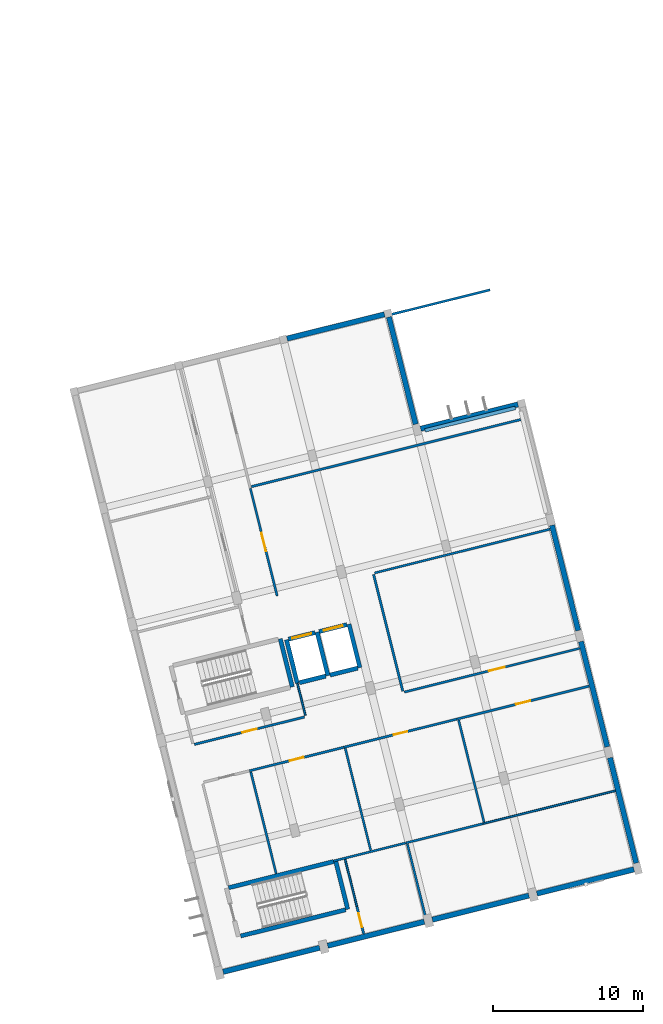
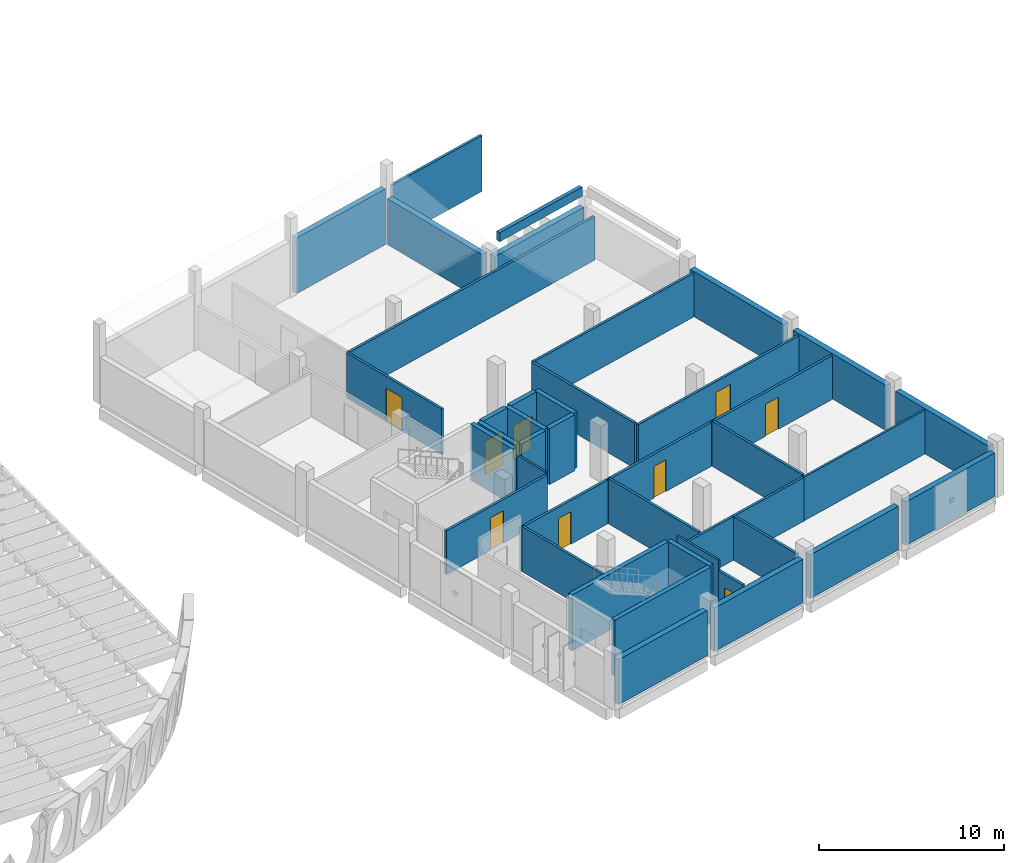
# One storey, part 32 of 47: 42 walls, 9 doors, 9 openings.
"""IFC4 building model written with IfcOpenShell, lengths in metres."""

from ifc_helpers import new_model, si_unit, direction, frame, frame_2d, origin, place, context, subcontext, project, spatial, rectangle, extrude, material, layer, layer_set, type_object, element, fill, save


model = new_model("IFC4")

# Units and contexts
model_context = context("Model", 3, precision=1e-05, world=origin(), true_north=direction((0.0, 1.0)))
body_context = subcontext(model_context, "Body", "Model", "MODEL_VIEW")
ifc_project = project(units=[si_unit("LENGTHUNIT", "METRE"), si_unit("AREAUNIT", "SQUARE_METRE"), si_unit("VOLUMEUNIT", "CUBIC_METRE"), si_unit("PLANEANGLEUNIT", "RADIAN"), si_unit("MASSUNIT", "GRAM", prefix="KILO")], contexts=[model_context])

# Site, building, storey
site_placement = place(None, origin())
site = spatial("IfcSite", under=ifc_project, at=site_placement, CompositionType="ELEMENT")
building_placement = place(site_placement, origin())
building = spatial("IfcBuilding", under=site, at=building_placement, Name="Mawjan Specialist Oncology Clinic", CompositionType="ELEMENT")
storey_placement = place(building_placement, frame((0.0, 0.0, 9.5)))
storey = spatial("IfcBuildingStorey", under=building, at=storey_placement, Name="L02", CompositionType="ELEMENT", Elevation=9.5)

# Walls
ifc_material_1 = material(Name="Precast concrete C40/50", Category="concrete")
ifc_layer_1 = layer(ifc_material_1, 0.35009765625, Name="Precast concrete C40/50", Category="concrete")
ifc_layer_set_1 = layer_set([ifc_layer_1], Name="Precast concrete C40/50")
wall_type_1 = type_object("IfcWallType", Name="EW-350", PredefinedType="SOLIDWALL", material=ifc_layer_set_1)
wall_1_placement = place(storey_placement, frame((139.45947265625, 37.135498046875, 0.0), z_axis=(0.0, 0.0, 1.0), x_axis=(0.970296633454, 0.241918257079, 0.0)))
element("IfcWall", 1, at=wall_1_placement, inside=storey, type_object=wall_type_1, Name="L02 Coral-Limestone Exterior Wall EW-L02-150", PredefinedType="SOLIDWALL", context=body_context, shape_type="SweptSolid", body=[
    extrude(rectangle(XDim=6.699951171875, YDim=0.35009765625, at=frame_2d((3.35009765625, 0.0))), origin(), (0.0, 0.0, 1.0), 2.985107421875),
])
for number, where, z_axis, x_axis, name in (
    (2, (148.22900390625, 30.690673828125, 0.0), (0.0, 0.0, 1.0), (0.241949253188, -0.970288904853, 0.0), "L02 Coral-Limestone Exterior Wall EW-L02-152"),
    (3, (150.16455078125, 22.92822265625, 0.0), (0.0, 0.0, 1.0), (0.241917549853, -0.970296809782, 0.0), "L02 Coral-Limestone Exterior Wall EW-L02-153"),
    (4, (152.099853515625, 15.165771484375, 0.0), (0.0, 0.0, 1.0), (0.241917549853, -0.970296809782, 0.0), "L02 Coral-Limestone Exterior Wall EW-L02-154"),
):
    element("IfcWall", number, at=place(storey_placement, frame(where, z_axis=z_axis, x_axis=x_axis)), inside=storey, type_object=wall_type_1, Name=name, PredefinedType="SOLIDWALL", context=body_context, shape_type="SweptSolid", body=[
        extrude(rectangle(XDim=7.25, YDim=0.35009765625, at=frame_2d((3.625, 0.0))), origin(), (0.0, 0.0, 1.0), 2.985107421875),
    ])
wall_2_placement = place(storey_placement, frame((153.701904296875, 7.706787109375, 0.0), z_axis=(0.0, 0.0, 1.0), x_axis=(-0.970299354279, -0.241907344009, 0.0)))
element("IfcWall", 5, at=wall_2_placement, inside=storey, type_object=wall_type_1, Name="L02 Coral-Limestone Exterior Wall EW-L02-155", PredefinedType="SOLIDWALL", context=body_context, shape_type="SweptSolid", body=[
    extrude(rectangle(XDim=6.675048828125, YDim=0.35009765625, at=frame_2d((3.33740234375, 0.0))), origin(), (0.0, 0.0, 1.0), 2.885009765625),
])
wall_3_placement = place(storey_placement, frame((146.691650390625, 5.958984375, 0.0), z_axis=(0.0, 0.0, 1.0), x_axis=(-0.970293478038, -0.24193091261, 0.0)))
element("IfcWall", 6, at=wall_3_placement, inside=storey, type_object=wall_type_1, Name="L02 Coral-Limestone Exterior Wall EW-L02-156", PredefinedType="SOLIDWALL", context=body_context, shape_type="SweptSolid", body=[
    extrude(rectangle(XDim=6.650146484375, YDim=0.35009765625, at=frame_2d((3.3251953125, 0.0))), origin(), (0.0, 0.0, 1.0), 2.885009765625),
])
wall_4_placement = place(storey_placement, frame((139.705322265625, 4.217041015625, 0.0), z_axis=(0.0, 0.0, 1.0), x_axis=(-0.970299947095, -0.241904966189, 0.0)))
element("IfcWall", 7, at=wall_4_placement, inside=storey, type_object=wall_type_1, Name="L02 Coral-Limestone Exterior Wall EW-L02-157", PredefinedType="SOLIDWALL", context=body_context, shape_type="SweptSolid", body=[
    extrude(rectangle(XDim=6.64990234375, YDim=0.35009765625, at=frame_2d((3.324951171875, 0.0))), origin(), (0.0, 0.0, 1.0), 2.885009765625),
])
wall_5_placement = place(storey_placement, frame((132.71923828125, 2.475341796875, 0.0), z_axis=(0.0, 0.0, 1.0), x_axis=(-0.97029132916, -0.241939530787, 0.0)))
element("IfcWall", 8, at=wall_5_placement, inside=storey, type_object=wall_type_1, Name="L02 Coral-Limestone Exterior Wall EW-L02-158", PredefinedType="SOLIDWALL", context=body_context, shape_type="SweptSolid", body=[
    extrude(rectangle(XDim=6.64990234375, YDim=0.35009765625, at=frame_2d((3.324951171875, 0.0))), origin(), (0.0, 0.0, 1.0), 2.985107421875),
])
wall_6_placement = place(storey_placement, frame((130.537841796875, 43.156005859375, 0.0), z_axis=(0.0, 0.0, 1.0), x_axis=(0.970296633454, 0.241918257079, 0.0)))
element("IfcWall", 9, at=wall_6_placement, inside=storey, type_object=wall_type_1, Name="L02 Coral-Limestone Exterior Wall EW-L02-166", PredefinedType="SOLIDWALL", context=body_context, shape_type="SweptSolid", body=[
    extrude(rectangle(XDim=6.699951171875, YDim=0.35009765625, at=frame_2d((3.35009765625, 0.0))), origin(), (0.0, 0.0, 1.0), 3.669921875),
])
wall_7_placement = place(storey_placement, frame((137.342041015625, 44.5947265625, 0.0), z_axis=(0.0, 0.0, 1.0), x_axis=(0.241920240952, -0.970296138825, 0.0)))
element("IfcWall", 10, at=wall_7_placement, inside=storey, type_object=wall_type_1, Name="L02 Coral-Limestone Exterior Wall EW-L02-167", PredefinedType="SOLIDWALL", context=body_context, shape_type="SweptSolid", body=[
    extrude(rectangle(XDim=7.375, YDim=0.35009765625, at=frame_2d((3.6875, 0.0))), origin(), (0.0, 0.0, 1.0), 3.034912109375),
])
ifc_material_2 = material(Name="Precast concrete C40/50", Category="concrete")
ifc_layer_2 = layer(ifc_material_2, 0.239990234375, Name="Precast concrete C40/50", Category="concrete")
ifc_layer_set_2 = layer_set([ifc_layer_2], Name="Precast concrete C40/50")
wall_type_2 = type_object("IfcWallType", Name="PAR-240", PredefinedType="PARAPET", material=ifc_layer_set_2)
wall_8_placement = place(storey_placement, frame((139.74560546875, 37.021240234375, 3.89990234375), z_axis=(0.0, 0.0, 1.0), x_axis=(0.970290089371, 0.241944502868, 0.0)))
element("IfcWall", 11, at=wall_8_placement, inside=storey, type_object=wall_type_2, Name="L02 Roof Parapet Upstand 22", PredefinedType="PARAPET", context=body_context, shape_type="SweptSolid", body=[
    extrude(rectangle(XDim=6.219970703125, YDim=0.239990234375, at=frame_2d((3.10986328125, 0.0))), origin(), (0.0, 0.0, 1.0), 0.60009765625),
])
ifc_material_3 = material(Name="Concrete C45/55", Category="concrete")
ifc_layer_3 = layer(ifc_material_3, 0.280029296875, Name="Concrete C45/55", Category="concrete")
ifc_layer_set_3 = layer_set([ifc_layer_3], Name="Concrete C45/55")
wall_type_3 = type_object("IfcWallType", Name="SW-300", PredefinedType="SHEAR", material=ifc_layer_set_3)
wall_9_placement = place(storey_placement, frame((130.886962890625, 19.889404296875, 0.0), z_axis=(0.0, 0.0, 1.0), x_axis=(-0.241947258837, 0.970289402158, 0.0)))
element("IfcWall", 12, at=wall_9_placement, inside=storey, type_object=wall_type_3, Name="L02 Core K5 Stair Shear Wall 2", PredefinedType="SHEAR", context=body_context, shape_type="SweptSolid", body=[
    extrude(rectangle(XDim=3.31982421875, YDim=0.280029296875, at=frame_2d((1.659912109375, 0.0))), origin(), (0.0, 0.0, 1.0), 3.699951171875),
])
wall_10_placement = place(storey_placement, frame((131.36328125, 20.17578125, 0.0), z_axis=(0.0, 0.0, 1.0), x_axis=(0.970284587517, 0.241966566341, 0.0)))
element("IfcWall", 13, at=wall_10_placement, inside=storey, type_object=wall_type_3, Name="L02 LF-01 Hoistway Wall 1", PredefinedType="SHEAR", context=body_context, shape_type="SweptSolid", body=[
    extrude(rectangle(XDim=1.817138671875, YDim=0.280029296875, at=frame_2d((0.90869140625, 0.0))), origin(), (0.0, 0.0, 1.0), 3.699951171875),
])
wall_11_placement = place(storey_placement, frame((133.26708984375, 20.650634765625, 0.0), z_axis=(0.0, 0.0, 1.0), x_axis=(-0.241921647353, 0.970295788171, 0.0)))
element("IfcWall", 14, at=wall_11_placement, inside=storey, type_object=wall_type_3, Name="L02 LF-01 Hoistway Wall 2", PredefinedType="SHEAR", context=body_context, shape_type="SweptSolid", body=[
    extrude(rectangle(XDim=2.994140625, YDim=0.280029296875, at=frame_2d((1.4970703125, 0.0))), origin(), (0.0, 0.0, 1.0), 3.699951171875),
])

# Wall, opening, door
wall_12_placement = place(storey_placement, frame((132.402099609375, 23.52099609375, 0.0), z_axis=(0.0, 0.0, 1.0), x_axis=(-0.970284587517, -0.241966566341, 0.0)))
wall_12 = element("IfcWall", 15, at=wall_12_placement, inside=storey, type_object=wall_type_3, Name="L02 LF-01 Hoistway Wall 3", PredefinedType="SHEAR", context=body_context, shape_type="SweptSolid", body=[
    extrude(rectangle(XDim=1.817138671875, YDim=0.280029296875, at=frame_2d((0.90869140625, 0.0))), origin(), (0.0, 0.0, 1.0), 3.699951171875),
])
opening_1_placement = place(wall_12_placement, frame((0.258544921875, 0.0, 0.0)))
opening_1 = element("IfcOpeningElement", 16, at=opening_1_placement, cuts=wall_12, Name="Opening LD-01-L02", PredefinedType="OPENING", context=body_context, shape_type="SweptSolid", body=[
    extrude(rectangle(XDim=1.300048828125, YDim=2.199951171875, at=frame_2d((0.64990234375, 1.10009765625))), frame((0.0, 0.152099609375, 0.0), z_axis=(0.0, -1.0, 0.0), x_axis=(1.0, 0.0, 0.0)), (0.0, 0.0, 1.0), 0.303955078125),
])
ifc_material_4 = material(Name="Stainless-steel fire-rated hospital door", Category="steel")
door_type_1 = type_object("IfcDoorType", Name="LD-130", OperationType="SLIDING_TO_LEFT", PredefinedType="DOOR", material=ifc_material_4)
door_1_placement = place(opening_1_placement, origin())
door_1 = element("IfcDoor", 17, at=door_1_placement, inside=storey, type_object=door_type_1, Name="L02 LF-01 Sliding Lift Landing Door", OperationType="SLIDING_TO_LEFT", OverallHeight=2.199951171875, OverallWidth=1.300048828125, PredefinedType="DOOR", context=body_context, shape_type="SweptSolid", body=[
    extrude(rectangle(XDim=1.300048828125, YDim=2.199951171875, at=frame_2d((0.64990234375, 1.10009765625))), frame((0.0, 0.02490234375, 0.0), z_axis=(0.0, -1.0, 0.0), x_axis=(1.0, 0.0, 0.0)), (0.0, 0.0, 1.0), 0.050048828125),
])
fill(opening_1, door_1)

# Walls
wall_13_placement = place(storey_placement, frame((130.498291015625, 23.046142578125, 0.0), z_axis=(0.0, 0.0, 1.0), x_axis=(0.241921647353, -0.970295788171, 0.0)))
element("IfcWall", 18, at=wall_13_placement, inside=storey, type_object=wall_type_3, Name="L02 LF-01 Hoistway Wall 4", PredefinedType="SHEAR", context=body_context, shape_type="SweptSolid", body=[
    extrude(rectangle(XDim=2.994140625, YDim=0.280029296875, at=frame_2d((1.4970703125, 0.0))), origin(), (0.0, 0.0, 1.0), 3.699951171875),
])
wall_14_placement = place(storey_placement, frame((133.407958984375, 20.685546875, 0.0), z_axis=(0.0, 0.0, 1.0), x_axis=(0.970285190026, 0.241964150272, 0.0)))
element("IfcWall", 19, at=wall_14_placement, inside=storey, type_object=wall_type_3, Name="L02 LF-02 Hoistway Wall 1", PredefinedType="SHEAR", context=body_context, shape_type="SweptSolid", body=[
    extrude(rectangle(XDim=1.909912109375, YDim=0.280029296875, at=frame_2d((0.955078125, 0.0))), origin(), (0.0, 0.0, 1.0), 3.699951171875),
])
wall_15_placement = place(storey_placement, frame((135.40185546875, 21.182861328125, 0.0), z_axis=(0.0, 0.0, 1.0), x_axis=(-0.241921647353, 0.970295788171, 0.0)))
element("IfcWall", 20, at=wall_15_placement, inside=storey, type_object=wall_type_3, Name="L02 LF-02 Hoistway Wall 2", PredefinedType="SHEAR", context=body_context, shape_type="SweptSolid", body=[
    extrude(rectangle(XDim=2.994140625, YDim=0.280029296875, at=frame_2d((1.4970703125, 0.0))), origin(), (0.0, 0.0, 1.0), 3.699951171875),
])

# Wall, opening, door
wall_16_placement = place(storey_placement, frame((134.53662109375, 24.05322265625, 0.0), z_axis=(0.0, 0.0, 1.0), x_axis=(-0.970285190026, -0.241964150272, 0.0)))
wall_16 = element("IfcWall", 21, at=wall_16_placement, inside=storey, type_object=wall_type_3, Name="L02 LF-02 Hoistway Wall 3", PredefinedType="SHEAR", context=body_context, shape_type="SweptSolid", body=[
    extrude(rectangle(XDim=1.909912109375, YDim=0.280029296875, at=frame_2d((0.955078125, 0.0))), origin(), (0.0, 0.0, 1.0), 3.699951171875),
])
opening_2_placement = place(wall_16_placement, frame((0.304931640625, 0.0, 0.0)))
opening_2 = element("IfcOpeningElement", 22, at=opening_2_placement, cuts=wall_16, Name="Opening LD-02-L02", PredefinedType="OPENING", context=body_context, shape_type="SweptSolid", body=[
    extrude(rectangle(XDim=1.300048828125, YDim=2.199951171875, at=frame_2d((0.64990234375, 1.10009765625))), frame((0.0, 0.152099609375, 0.0), z_axis=(0.0, -1.0, 0.0), x_axis=(1.0, 0.0, 0.0)), (0.0, 0.0, 1.0), 0.303955078125),
])
door_2_placement = place(opening_2_placement, origin())
door_2 = element("IfcDoor", 23, at=door_2_placement, inside=storey, type_object=door_type_1, Name="L02 LF-02 Sliding Lift Landing Door", OperationType="SLIDING_TO_RIGHT", OverallHeight=2.199951171875, OverallWidth=1.300048828125, PredefinedType="DOOR", context=body_context, shape_type="SweptSolid", body=[
    extrude(rectangle(XDim=1.300048828125, YDim=2.199951171875, at=frame_2d((0.64990234375, 1.10009765625))), frame((0.0, 0.02490234375, 0.0), z_axis=(0.0, -1.0, 0.0), x_axis=(1.0, 0.0, 0.0)), (0.0, 0.0, 1.0), 0.050048828125),
])
fill(opening_2, door_2)

# Walls
wall_17_placement = place(storey_placement, frame((127.4326171875, 3.259521484375, 0.0), z_axis=(0.0, 0.0, 1.0), x_axis=(0.970289312034, 0.241947620266, 0.0)))
element("IfcWall", 24, at=wall_17_placement, inside=storey, type_object=wall_type_3, Name="L02 Core K6 Stair Shear Wall 1", PredefinedType="SHEAR", context=body_context, shape_type="SweptSolid", body=[
    extrude(rectangle(XDim=7.22998046875, YDim=0.280029296875, at=frame_2d((3.614990234375, 0.0))), origin(), (0.0, 0.0, 1.0), 3.699951171875),
])
wall_18_placement = place(storey_placement, frame((134.58837890625, 5.043701171875, 0.0), z_axis=(0.0, 0.0, 1.0), x_axis=(-0.241929995817, 0.970293706629, 0.0)))
element("IfcWall", 25, at=wall_18_placement, inside=storey, type_object=wall_type_3, Name="L02 Core K6 Stair Shear Wall 2", PredefinedType="SHEAR", context=body_context, shape_type="SweptSolid", body=[
    extrude(rectangle(XDim=3.320068359375, YDim=0.280029296875, at=frame_2d((1.66015625, 0.0))), origin(), (0.0, 0.0, 1.0), 3.699951171875),
])
wall_19_placement = place(storey_placement, frame((133.64453125, 8.22998046875, 0.0), z_axis=(0.0, 0.0, 1.0), x_axis=(-0.970297238923, -0.241915828623, 0.0)))
element("IfcWall", 26, at=wall_19_placement, inside=storey, type_object=wall_type_3, Name="L02 Core K6 Stair Shear Wall 3", PredefinedType="SHEAR", context=body_context, shape_type="SweptSolid", body=[
    extrude(rectangle(XDim=7.22998046875, YDim=0.280029296875, at=frame_2d((3.614990234375, 0.0))), origin(), (0.0, 0.0, 1.0), 3.699951171875),
])
ifc_material_5 = material(Name="Moisture-resistant washroom partition", Category="gypsum")
ifc_layer_4 = layer(ifc_material_5, 0.125, Name="Moisture-resistant washroom partition", Category="gypsum")
ifc_layer_set_4 = layer_set([ifc_layer_4], Name="Moisture-resistant washroom partition")
wall_type_4 = type_object("IfcWallType", Name="WP-125", PredefinedType="PARTITIONING", material=ifc_layer_set_4)
wall_20_placement = place(storey_placement, frame((131.7626953125, 17.98974609375, 0.0), z_axis=(0.0, 0.0, 1.0), x_axis=(-0.241962612769, 0.970285573438, 0.0)))
element("IfcWall", 27, at=wall_20_placement, inside=storey, type_object=wall_type_4, Name="L02 Interior Partition W-RINT-L02-RKS-E", PredefinedType="PARTITIONING", context=body_context, shape_type="SweptSolid", body=[
    extrude(rectangle(XDim=2.20556640625, YDim=0.125, at=frame_2d((1.102783203125, 0.0))), origin(), (0.0, 0.0, 1.0), 2.985107421875),
])
wall_21_placement = place(storey_placement, frame((135.200439453125, 5.234619140625, 0.0), z_axis=(0.0, 0.0, 1.0), x_axis=(-0.241878748512, 0.970306483034, 0.0)))
element("IfcWall", 28, at=wall_21_placement, inside=storey, type_object=wall_type_4, Name="L02 Interior Partition W-RINT-L02-RSE-WB", PredefinedType="PARTITIONING", context=body_context, shape_type="SweptSolid", body=[
    extrude(rectangle(XDim=3.236083984375, YDim=0.125, at=frame_2d((1.6181640625, 0.0))), origin(), (0.0, 0.0, 1.0), 3.699951171875),
])
wall_22_placement = place(storey_placement, frame((143.640625, 10.763671875, 0.0), z_axis=(0.0, 0.0, 1.0), x_axis=(0.970298775858, 0.241909664065, 0.0)))
element("IfcWall", 29, at=wall_22_placement, inside=storey, type_object=wall_type_4, Name="L02 Interior Partition W-RINT-L02-RCS4-S", PredefinedType="PARTITIONING", context=body_context, shape_type="SweptSolid", body=[
    extrude(rectangle(XDim=9.0859375, YDim=0.125, at=frame_2d((4.54296875, 0.0))), origin(), (0.0, 0.0, 1.0), 2.885009765625),
])

# Wall, opening, door
ifc_material_6 = material(Name="Acoustic gypsum clinical partition", Category="gypsum")
ifc_layer_5 = layer(ifc_material_6, 0.14990234375, Name="Acoustic gypsum clinical partition", Category="gypsum")
ifc_layer_set_5 = layer_set([ifc_layer_5], Name="Acoustic gypsum clinical partition")
wall_type_5 = type_object("IfcWallType", Name="WP-150", PredefinedType="PARTITIONING", material=ifc_layer_set_5)
wall_23_placement = place(storey_placement, frame((138.36669921875, 19.548583984375, 0.0), z_axis=(0.0, 0.0, 1.0), x_axis=(0.970292133333, 0.241936305651, 0.0)))
wall_23 = element("IfcWall", 30, at=wall_23_placement, inside=storey, type_object=wall_type_5, Name="L02 Interior Partition W-RINT-L02-RDE1-S", PredefinedType="PARTITIONING", context=body_context, shape_type="SweptSolid", body=[
    extrude(rectangle(XDim=12.078125, YDim=0.14990234375, at=frame_2d((6.0390625, 0.0))), origin(), (0.0, 0.0, 1.0), 2.885009765625),
])
opening_3_placement = place(wall_23_placement, frame((5.828857421875, 0.0, 0.0)))
opening_3 = element("IfcOpeningElement", 31, at=opening_3_placement, cuts=wall_23, Name="Opening DI-108", PredefinedType="OPENING", context=body_context, shape_type="SweptSolid", body=[
    extrude(rectangle(XDim=1.080078125, YDim=2.179931640625, at=frame_2d((0.5400390625, 1.08984375))), frame((0.0, 0.0869140625, 0.0), z_axis=(0.0, -1.0, 0.0), x_axis=(1.0, 0.0, 0.0)), (0.0, 0.0, 1.0), 0.173828125),
])
ifc_material_7 = material(Name="Acoustic laminate hospital door leaf", Category="wood")
door_type_2 = type_object("IfcDoorType", Name="DI-108", OperationType="NOTDEFINED", PredefinedType="DOOR", material=ifc_material_7)
door_3_placement = place(opening_3_placement, origin())
door_3 = element("IfcDoor", 32, at=door_3_placement, inside=storey, type_object=door_type_2, Name="L02 East Research Seminar Room Door", OperationType="SINGLE_SWING_RIGHT", OverallHeight=2.179931640625, OverallWidth=1.080078125, PredefinedType="DOOR", context=body_context, shape_type="SweptSolid", body=[
    extrude(rectangle(XDim=1.080078125, YDim=2.179931640625, at=frame_2d((0.5400390625, 1.08984375))), frame((0.0, 0.02490234375, 0.0), z_axis=(0.0, -1.0, 0.0), x_axis=(1.0, 0.0, 0.0)), (0.0, 0.0, 1.0), 0.050048828125),
])
fill(opening_3, door_3)

wall_24_placement = place(storey_placement, frame((129.8759765625, 25.97021484375, 0.0), z_axis=(0.0, 0.0, 1.0), x_axis=(-0.241938716353, 0.970291532236, 0.0)))
wall_24 = element("IfcWall", 33, at=wall_24_placement, inside=storey, type_object=wall_type_5, Name="L02 Interior Partition W-RINT-L02-RNE1-W", PredefinedType="PARTITIONING", context=body_context, shape_type="SweptSolid", body=[
    extrude(rectangle(XDim=7.410888671875, YDim=0.14990234375, at=frame_2d((3.70556640625, 0.0))), origin(), (0.0, 0.0, 1.0), 2.985107421875),
])
opening_4_placement = place(wall_24_placement, frame((3.08544921875, 0.0, 0.0)))
opening_4 = element("IfcOpeningElement", 34, at=opening_4_placement, cuts=wall_24, Name="Opening DC-124", PredefinedType="OPENING", context=body_context, shape_type="SweptSolid", body=[
    extrude(rectangle(XDim=1.239990234375, YDim=2.199951171875, at=frame_2d((0.6201171875, 1.10009765625))), frame((0.0, 0.0869140625, 0.0), z_axis=(0.0, -1.0, 0.0), x_axis=(1.0, 0.0, 0.0)), (0.0, 0.0, 1.0), 0.173828125),
])
ifc_material_8 = material(Name="Acoustic laminate hospital door leaf", Category="wood")
door_type_3 = type_object("IfcDoorType", Name="DC-124", OperationType="NOTDEFINED", PredefinedType="DOOR", material=ifc_material_8)
door_4_placement = place(opening_4_placement, origin())
door_4 = element("IfcDoor", 35, at=door_4_placement, inside=storey, type_object=door_type_3, Name="L02 Molecular Diagnostics Wet Lab Door", OperationType="SINGLE_SWING_RIGHT", OverallHeight=2.199951171875, OverallWidth=1.239990234375, PredefinedType="DOOR", context=body_context, shape_type="SweptSolid", body=[
    extrude(rectangle(XDim=1.239990234375, YDim=2.199951171875, at=frame_2d((0.6201171875, 1.10009765625))), frame((0.0, 0.02490234375, 0.0), z_axis=(0.0, -1.0, 0.0), x_axis=(1.0, 0.0, 0.0)), (0.0, 0.0, 1.0), 0.050048828125),
])
fill(opening_4, door_4)

# Walls
wall_25_placement = place(storey_placement, frame((133.646484375, 8.271728515625, 0.0), z_axis=(0.0, 0.0, 1.0), x_axis=(0.970295511907, 0.241922755387, 0.0)))
element("IfcWall", 36, at=wall_25_placement, inside=storey, type_object=wall_type_5, Name="L02 Interior Partition W-RINT-L02-RSE-N", PredefinedType="PARTITIONING", context=body_context, shape_type="SweptSolid", body=[
    extrude(rectangle(XDim=4.968017578125, YDim=0.14990234375, at=frame_2d((2.48388671875, 0.0))), origin(), (0.0, 0.0, 1.0), 2.885009765625),
])
wall_26_placement = place(storey_placement, frame((139.765869140625, 4.615478515625, 0.0), z_axis=(0.0, 0.0, 1.0), x_axis=(-0.241908041606, 0.970299180359, 0.0)))
element("IfcWall", 37, at=wall_26_placement, inside=storey, type_object=wall_type_5, Name="L02 Interior Partition W-RINT-L02-RSE-E", PredefinedType="PARTITIONING", context=body_context, shape_type="SweptSolid", body=[
    extrude(rectangle(XDim=4.943115234375, YDim=0.14990234375, at=frame_2d((2.4716796875, 0.0))), origin(), (0.0, 0.0, 1.0), 2.885009765625),
])
wall_27_placement = place(storey_placement, frame((129.80908203125, 7.430419921875, 0.0), z_axis=(0.0, 0.0, 1.0), x_axis=(-0.241903328994, 0.970300355262, 0.0)))
element("IfcWall", 38, at=wall_27_placement, inside=storey, type_object=wall_type_5, Name="L02 Interior Partition W-RINT-L02-RAS1-E", PredefinedType="PARTITIONING", context=body_context, shape_type="SweptSolid", body=[
    extrude(rectangle(XDim=6.99609375, YDim=0.14990234375, at=frame_2d((3.498046875, 0.0))), origin(), (0.0, 0.0, 1.0), 2.985107421875),
])
wall_28_placement = place(storey_placement, frame((136.1220703125, 8.978759765625, 0.0), z_axis=(0.0, 0.0, 1.0), x_axis=(-0.241913757308, 0.970297755344, 0.0)))
element("IfcWall", 39, at=wall_28_placement, inside=storey, type_object=wall_type_5, Name="L02 Interior Partition W-RINT-L02-RAS2-E", PredefinedType="PARTITIONING", context=body_context, shape_type="SweptSolid", body=[
    extrude(rectangle(XDim=7.02099609375, YDim=0.14990234375, at=frame_2d((3.510498046875, 0.0))), origin(), (0.0, 0.0, 1.0), 2.985107421875),
])
wall_29_placement = place(storey_placement, frame((138.478515625, 9.4765625, 0.0), z_axis=(0.0, 0.0, 1.0), x_axis=(0.970293821184, 0.241929536378, 0.0)))
element("IfcWall", 40, at=wall_29_placement, inside=storey, type_object=wall_type_5, Name="L02 Interior Partition W-RINT-L02-RBS3-S", PredefinedType="PARTITIONING", context=body_context, shape_type="SweptSolid", body=[
    extrude(rectangle(XDim=5.30810546875, YDim=0.14990234375, at=frame_2d((2.654052734375, 0.0))), origin(), (0.0, 0.0, 1.0), 2.885009765625),
])
wall_30_placement = place(storey_placement, frame((143.69091796875, 10.86376953125, 0.0), z_axis=(0.0, 0.0, 1.0), x_axis=(-0.241913935588, 0.970297710895, 0.0)))
element("IfcWall", 41, at=wall_30_placement, inside=storey, type_object=wall_type_5, Name="L02 Interior Partition W-RINT-L02-RBS3-E", PredefinedType="PARTITIONING", context=body_context, shape_type="SweptSolid", body=[
    extrude(rectangle(XDim=7.02294921875, YDim=0.14990234375, at=frame_2d((3.511474609375, 0.0))), origin(), (0.0, 0.0, 1.0), 2.985107421875),
])
wall_31_placement = place(storey_placement, frame((136.3828125, 27.505126953125, 0.0), z_axis=(0.0, 0.0, 1.0), x_axis=(0.970296878284, 0.241917275099, 0.0)))
element("IfcWall", 42, at=wall_31_placement, inside=storey, type_object=wall_type_5, Name="L02 Interior Partition W-RINT-L02-RDE1-N", PredefinedType="PARTITIONING", context=body_context, shape_type="SweptSolid", body=[
    extrude(rectangle(XDim=12.077880859375, YDim=0.14990234375, at=frame_2d((6.0390625, 0.0))), origin(), (0.0, 0.0, 1.0), 2.885009765625),
])

# Wall, opening, door
ifc_material_9 = material(Name="Acoustic clinical twin-stud partition", Category="gypsum")
ifc_layer_6 = layer(ifc_material_9, 0.159912109375, Name="Acoustic clinical twin-stud partition", Category="gypsum")
ifc_layer_set_6 = layer_set([ifc_layer_6], Name="Acoustic clinical twin-stud partition")
wall_type_6 = type_object("IfcWallType", Name="WP-160", PredefinedType="PARTITIONING", material=ifc_layer_set_6)
wall_32_placement = place(storey_placement, frame((124.345947265625, 16.052978515625, 0.0), z_axis=(0.0, 0.0, 1.0), x_axis=(0.970295772287, 0.241921711059, 0.0)))
wall_32 = element("IfcWall", 43, at=wall_32_placement, inside=storey, type_object=wall_type_6, Name="L02 Interior Partition W-RINT-L02-RKS-S", PredefinedType="PARTITIONING", context=body_context, shape_type="SweptSolid", body=[
    extrude(rectangle(XDim=7.579833984375, YDim=0.159912109375, at=frame_2d((3.7900390625, 0.0))), origin(), (0.0, 0.0, 1.0), 2.885009765625),
])
opening_5_placement = place(wall_32_placement, frame((3.2900390625, 0.0, 0.0)))
opening_5 = element("IfcOpeningElement", 44, at=opening_5_placement, cuts=wall_32, Name="Opening DI-100", PredefinedType="OPENING", context=body_context, shape_type="SweptSolid", body=[
    extrude(rectangle(XDim=1.0, YDim=2.14990234375, at=frame_2d((0.5, 1.074951171875))), frame((0.0, 0.092041015625, 0.0), z_axis=(0.0, -1.0, 0.0), x_axis=(1.0, 0.0, 0.0)), (0.0, 0.0, 1.0), 0.183837890625),
])
ifc_material_10 = material(Name="Acoustic laminate hospital door leaf", Category="wood")
door_type_4 = type_object("IfcDoorType", Name="DI-100", OperationType="NOTDEFINED", PredefinedType="DOOR", material=ifc_material_10)
door_5_placement = place(opening_5_placement, origin())
door_5 = element("IfcDoor", 45, at=door_5_placement, inside=storey, type_object=door_type_4, Name="L02 Research Clean Supply Room Door", OperationType="SINGLE_SWING_LEFT", OverallHeight=2.14990234375, OverallWidth=1.0, PredefinedType="DOOR", context=body_context, shape_type="SweptSolid", body=[
    extrude(rectangle(XDim=1.0, YDim=2.14990234375, at=frame_2d((0.5, 1.074951171875))), frame((0.0, 0.02490234375, 0.0), z_axis=(0.0, -1.0, 0.0), x_axis=(1.0, 0.0, 0.0)), (0.0, 0.0, 1.0), 0.050048828125),
])
fill(opening_5, door_5)

wall_33_placement = place(storey_placement, frame((135.65771484375, 3.400634765625, 0.0), z_axis=(0.0, 0.0, 1.0), x_axis=(-0.241923827719, 0.970295244543, 0.0)))
wall_33 = element("IfcWall", 46, at=wall_33_placement, inside=storey, type_object=wall_type_6, Name="L02 Interior Partition W-RINT-L02-RSE-W", PredefinedType="PARTITIONING", context=body_context, shape_type="SweptSolid", body=[
    extrude(rectangle(XDim=1.878173828125, YDim=0.159912109375, at=frame_2d((0.93896484375, 0.0))), origin(), (0.0, 0.0, 1.0), 3.034912109375),
])
opening_6_placement = place(wall_33_placement, frame((0.464111328125, 0.0, 0.0)))
opening_6 = element("IfcOpeningElement", 47, at=opening_6_placement, cuts=wall_33, Name="Opening DA-95", PredefinedType="OPENING", context=body_context, shape_type="SweptSolid", body=[
    extrude(rectangle(XDim=0.949951171875, YDim=2.14990234375, at=frame_2d((0.47509765625, 1.074951171875))), frame((0.0, 0.092041015625, 0.0), z_axis=(0.0, -1.0, 0.0), x_axis=(1.0, 0.0, 0.0)), (0.0, 0.0, 1.0), 0.183837890625),
])
ifc_material_11 = material(Name="Acoustic laminate hospital door leaf", Category="wood")
door_type_5 = type_object("IfcDoorType", Name="DA-95", OperationType="NOTDEFINED", PredefinedType="DOOR", material=ifc_material_11)
door_6_placement = place(opening_6_placement, origin())
door_6 = element("IfcDoor", 48, at=door_6_placement, inside=storey, type_object=door_type_5, Name="L02 Clinical Protocol Review Office Door", OperationType="SINGLE_SWING_LEFT", OverallHeight=2.14990234375, OverallWidth=0.949951171875, PredefinedType="DOOR", context=body_context, shape_type="SweptSolid", body=[
    extrude(rectangle(XDim=0.949951171875, YDim=2.14990234375, at=frame_2d((0.47509765625, 1.074951171875))), frame((0.0, 0.02490234375, 0.0), z_axis=(0.0, -1.0, 0.0), x_axis=(1.0, 0.0, 0.0)), (0.0, 0.0, 1.0), 0.050048828125),
])
fill(opening_6, door_6)

wall_34_placement = place(storey_placement, frame((128.0234375, 14.290283203125, 0.0), z_axis=(0.0, 0.0, 1.0), x_axis=(0.970297244456, 0.24191580643, 0.0)))
wall_34 = element("IfcWall", 49, at=wall_34_placement, inside=storey, type_object=wall_type_6, Name="L02 Interior Partition W-RINT-L02-RAS2-N", PredefinedType="PARTITIONING", context=body_context, shape_type="SweptSolid", body=[
    extrude(rectangle(XDim=6.488037109375, YDim=0.159912109375, at=frame_2d((3.244140625, 0.0))), origin(), (0.0, 0.0, 1.0), 2.885009765625),
])
opening_7_placement = place(wall_34_placement, frame((2.76904296875, 0.0, 0.0)))
opening_7 = element("IfcOpeningElement", 50, at=opening_7_placement, cuts=wall_34, Name="Opening DA-95", PredefinedType="OPENING", context=body_context, shape_type="SweptSolid", body=[
    extrude(rectangle(XDim=0.949951171875, YDim=2.14990234375, at=frame_2d((0.47509765625, 1.074951171875))), frame((0.0, 0.092041015625, 0.0), z_axis=(0.0, -1.0, 0.0), x_axis=(1.0, 0.0, 0.0)), (0.0, 0.0, 1.0), 0.183837890625),
])
door_7_placement = place(opening_7_placement, origin())
door_7 = element("IfcDoor", 51, at=door_7_placement, inside=storey, type_object=door_type_5, Name="L02 Genomic Sequencing Laboratory Door", OperationType="SINGLE_SWING_RIGHT", OverallHeight=2.14990234375, OverallWidth=0.949951171875, PredefinedType="DOOR", context=body_context, shape_type="SweptSolid", body=[
    extrude(rectangle(XDim=0.949951171875, YDim=2.14990234375, at=frame_2d((0.47509765625, 1.074951171875))), frame((0.0, 0.02490234375, 0.0), z_axis=(0.0, -1.0, 0.0), x_axis=(1.0, 0.0, 0.0)), (0.0, 0.0, 1.0), 0.050048828125),
])
fill(opening_7, door_7)

wall_35_placement = place(storey_placement, frame((134.330322265625, 15.86279296875, 0.0), z_axis=(0.0, 0.0, 1.0), x_axis=(0.970299035042, 0.241908624476, 0.0)))
wall_35 = element("IfcWall", 52, at=wall_35_placement, inside=storey, type_object=wall_type_6, Name="L02 Interior Partition W-RINT-L02-RBS3-N", PredefinedType="PARTITIONING", context=body_context, shape_type="SweptSolid", body=[
    extrude(rectangle(XDim=7.7880859375, YDim=0.159912109375, at=frame_2d((3.89404296875, 0.0))), origin(), (0.0, 0.0, 1.0), 2.885009765625),
])
opening_8_placement = place(wall_35_placement, frame((3.43408203125, 0.0, 0.0)))
opening_8 = element("IfcOpeningElement", 53, at=opening_8_placement, cuts=wall_35, Name="Opening DI-92", PredefinedType="OPENING", context=body_context, shape_type="SweptSolid", body=[
    extrude(rectangle(XDim=0.919921875, YDim=2.10009765625, at=frame_2d((0.4599609375, 1.050048828125))), frame((0.0, 0.092041015625, 0.0), z_axis=(0.0, -1.0, 0.0), x_axis=(1.0, 0.0, 0.0)), (0.0, 0.0, 1.0), 0.183837890625),
])
ifc_material_12 = material(Name="Acoustic laminate hospital door leaf", Category="wood")
door_type_6 = type_object("IfcDoorType", Name="DI-92", OperationType="NOTDEFINED", PredefinedType="DOOR", material=ifc_material_12)
door_8_placement = place(opening_8_placement, origin())
door_8 = element("IfcDoor", 54, at=door_8_placement, inside=storey, type_object=door_type_6, Name="L02 Bioinformatics Computing Lab Door", OperationType="SINGLE_SWING_LEFT", OverallHeight=2.10009765625, OverallWidth=0.919921875, PredefinedType="DOOR", context=body_context, shape_type="SweptSolid", body=[
    extrude(rectangle(XDim=0.919921875, YDim=2.10009765625, at=frame_2d((0.4599609375, 1.050048828125))), frame((0.0, 0.02490234375, 0.0), z_axis=(0.0, -1.0, 0.0), x_axis=(1.0, 0.0, 0.0)), (0.0, 0.0, 1.0), 0.050048828125),
])
fill(opening_8, door_8)

wall_36_placement = place(storey_placement, frame((141.898681640625, 17.749755859375, 0.0), z_axis=(0.0, 0.0, 1.0), x_axis=(0.970298775858, 0.241909664065, 0.0)))
wall_36 = element("IfcWall", 55, at=wall_36_placement, inside=storey, type_object=wall_type_6, Name="L02 Interior Partition W-RINT-L02-RCS4-N", PredefinedType="PARTITIONING", context=body_context, shape_type="SweptSolid", body=[
    extrude(rectangle(XDim=9.0859375, YDim=0.159912109375, at=frame_2d((4.54296875, 0.0))), origin(), (0.0, 0.0, 1.0), 2.885009765625),
])
opening_9_placement = place(wall_36_placement, frame((4.052978515625, 0.0, 0.0)))
opening_9 = element("IfcOpeningElement", 56, at=opening_9_placement, cuts=wall_36, Name="Opening DI-98", PredefinedType="OPENING", context=body_context, shape_type="SweptSolid", body=[
    extrude(rectangle(XDim=0.97998046875, YDim=2.1201171875, at=frame_2d((0.489990234375, 1.06005859375))), frame((0.0, 0.092041015625, 0.0), z_axis=(0.0, -1.0, 0.0), x_axis=(1.0, 0.0, 0.0)), (0.0, 0.0, 1.0), 0.183837890625),
])
ifc_material_13 = material(Name="Acoustic laminate hospital door leaf", Category="wood")
door_type_7 = type_object("IfcDoorType", Name="DI-98", OperationType="NOTDEFINED", PredefinedType="DOOR", material=ifc_material_13)
door_9_placement = place(opening_9_placement, origin())
door_9 = element("IfcDoor", 57, at=door_9_placement, inside=storey, type_object=door_type_7, Name="L02 Translational Assay Laboratory Door", OperationType="SINGLE_SWING_LEFT", OverallHeight=2.1201171875, OverallWidth=0.97998046875, PredefinedType="DOOR", context=body_context, shape_type="SweptSolid", body=[
    extrude(rectangle(XDim=0.97998046875, YDim=2.1201171875, at=frame_2d((0.489990234375, 1.06005859375))), frame((0.0, 0.02490234375, 0.0), z_axis=(0.0, -1.0, 0.0), x_axis=(1.0, 0.0, 0.0)), (0.0, 0.0, 1.0), 0.050048828125),
])
fill(opening_9, door_9)

# Walls
wall_37_placement = place(storey_placement, frame((138.263671875, 19.610595703125, 0.0), z_axis=(0.0, 0.0, 1.0), x_axis=(-0.241920353256, 0.970296110824, 0.0)))
element("IfcWall", 58, at=wall_37_placement, inside=storey, type_object=wall_type_6, Name="L02 Interior Partition W-RINT-L02-RDE1-W", PredefinedType="PARTITIONING", context=body_context, shape_type="SweptSolid", body=[
    extrude(rectangle(XDim=8.030029296875, YDim=0.159912109375, at=frame_2d((4.01513671875, 0.0))), origin(), (0.0, 0.0, 1.0), 2.985107421875),
])
wall_38_placement = place(storey_placement, frame((128.14697265625, 33.264404296875, 0.0), z_axis=(0.0, 0.0, 1.0), x_axis=(0.970294124774, 0.241928318783, 0.0)))
element("IfcWall", 59, at=wall_38_placement, inside=storey, type_object=wall_type_6, Name="L02 Interior Partition W-RINT-L02-RNE1-N", PredefinedType="PARTITIONING", context=body_context, shape_type="SweptSolid", body=[
    extrude(rectangle(XDim=18.541015625, YDim=0.159912109375, at=frame_2d((9.2705078125, 0.0))), origin(), (0.0, 0.0, 1.0), 2.885009765625),
])
wall_39_placement = place(storey_placement, frame((137.513916015625, 44.771484375, 0.0), z_axis=(0.0, 0.0, 1.0), x_axis=(0.970292586429, 0.241934488491, 0.0)))
element("IfcWall", 60, at=wall_39_placement, inside=storey, type_object=wall_type_6, Name="L02 Interior Partition W-RINT-L02-RNE2-N", PredefinedType="PARTITIONING", context=body_context, shape_type="SweptSolid", body=[
    extrude(rectangle(XDim=6.785400390625, YDim=0.159912109375, at=frame_2d((3.392578125, 0.0))), origin(), (0.0, 0.0, 1.0), 3.699951171875),
])

save(model, "model.ifc")
